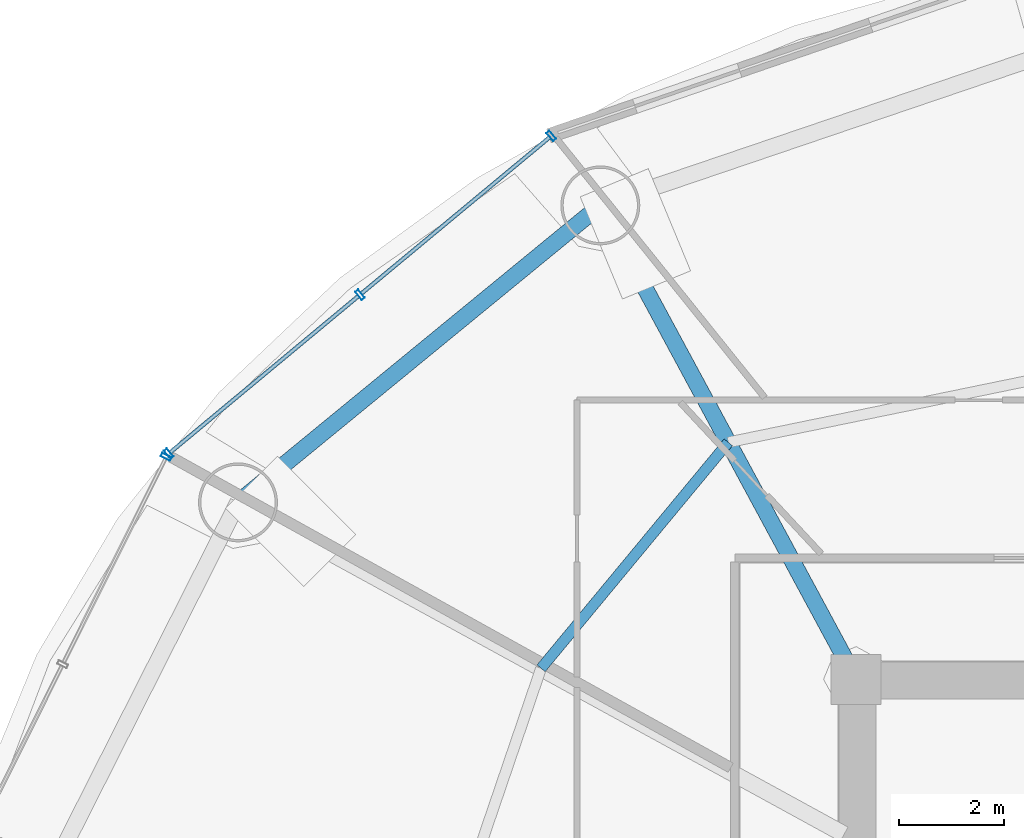
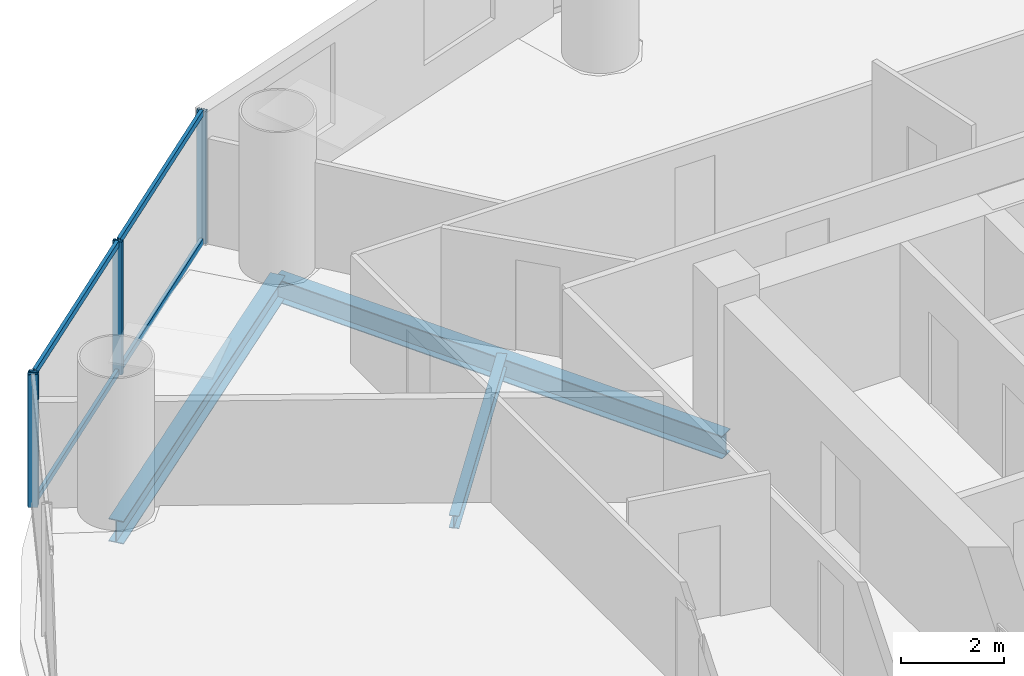
# One storey, part 16 of 29: 8 members, 3 beams, 2 elements without a shape of their own.
"""IFC4 building model written with IfcOpenShell, lengths in metres."""

from ifc_helpers import new_model, si_unit, direction, frame, origin, origin_2d, place, context, subcontext, project, spatial, hollow_rectangle, i_section, extrude, source, transform, mapped, material, material_profile, profile_set, type_object, element, aggregate, save


model = new_model("IFC4")

# Units and contexts
model_context = context("Model", 3, precision=1e-05, world=origin(), true_north=direction((-0.2419218956, 0.970295726276)))
body_context = subcontext(model_context, "Body", "Model", "MODEL_VIEW")
ifc_project = project(units=[si_unit("LENGTHUNIT", "METRE"), si_unit("AREAUNIT", "SQUARE_METRE"), si_unit("VOLUMEUNIT", "CUBIC_METRE"), si_unit("PLANEANGLEUNIT", "RADIAN"), si_unit("MASSUNIT", "GRAM", prefix="KILO")], contexts=[model_context])

# Site, building, storey
site_placement = place(None, origin())
site = spatial("IfcSite", under=ifc_project, at=site_placement, CompositionType="ELEMENT")
building_placement = place(site_placement, origin())
building = spatial("IfcBuilding", under=site, at=building_placement, Name="Cobrevalo Terracotta Tower", CompositionType="ELEMENT")
storey_placement = place(building_placement, frame((0.0, 0.0, 126.60009765625)))
storey = spatial("IfcBuildingStorey", under=building, at=storey_placement, Name="L33", CompositionType="ELEMENT", Elevation=126.60009765625)

# Beams
ifc_material_1 = material(Name="Steel S355", Category="steel")
ifc_material_profile_1 = material_profile(ifc_material_1, i_section(OverallWidth=0.31201171875, OverallDepth=0.54296875, WebThickness=0.0126953125, FlangeThickness=0.020263671875, at=origin_2d()), Name="W 530x150")
ifc_profile_set_1 = profile_set([ifc_material_profile_1], Name="Steel S355")
beam_type_1 = type_object("IfcBeamType", Name="Structural Beam W 530x150 (Steel S355)", PredefinedType="BEAM", material=ifc_profile_set_1)
beam_1_placement = place(storey_placement, frame((24.138427734375, 43.803466796875, -0.546630859375), z_axis=(0.475128224431, -0.879916570107, 0.0), x_axis=(0.879916570107, 0.475128224431, 0.0)))
element("IfcBeam", 1, at=beam_1_placement, inside=storey, type_object=beam_type_1, Name="L33 radial floor girder 06", PredefinedType="BEAM", context=body_context, shape_type="SweptSolid", body=[
    extrude(i_section(OverallWidth=0.31201171875, OverallDepth=0.54296875, WebThickness=0.0126953125, FlangeThickness=0.020263671875, at=origin_2d()), origin(), (0.0, 0.0, 1.0), 10.232177734375),
])
ifc_material_profile_2 = material_profile(ifc_material_1, i_section(OverallWidth=0.2041015625, OverallDepth=0.305908203125, WebThickness=0.008544921875, FlangeThickness=0.0146484375, at=origin_2d()), Name="W 310x67")
ifc_profile_set_2 = profile_set([ifc_material_profile_2], Name="Steel S355")
beam_type_2 = type_object("IfcBeamType", Name="Structural Joist W 310x67 (Steel S355)", PredefinedType="JOIST", material=ifc_profile_set_2)
beam_2_placement = place(storey_placement, frame((26.5693359375, 39.3017578125, -0.427978515625), z_axis=(-0.6379592588, -0.77007011636, 0.0), x_axis=(0.77007011636, -0.6379592588, 0.0)))
element("IfcBeam", 2, at=beam_2_placement, inside=storey, type_object=beam_type_2, Name="L33 circumferential secondary floor joist 06", PredefinedType="JOIST", context=body_context, shape_type="SweptSolid", body=[
    extrude(i_section(OverallWidth=0.2041015625, OverallDepth=0.305908203125, WebThickness=0.008544921875, FlangeThickness=0.0146484375, at=origin_2d()), origin(), (0.0, 0.0, 1.0), 5.575439453125),
])
ifc_material_profile_3 = material_profile(ifc_material_1, i_section(OverallWidth=0.31201171875, OverallDepth=0.54296875, WebThickness=0.0126953125, FlangeThickness=0.020263671875, at=origin_2d()), Name="W 530x150")
ifc_profile_set_3 = profile_set([ifc_material_profile_3], Name="Steel S355")
beam_type_3 = type_object("IfcBeamType", Name="Structural Spandrel W 530x150 (Steel S355)", PredefinedType="SPANDREL", material=ifc_profile_set_3)
beam_3_placement = place(storey_placement, frame((24.138427734375, 43.803466796875, -0.546630859375), z_axis=(-0.773400923541, -0.633917196064, 0.0), x_axis=(0.633917196064, -0.773400923541, 0.0)))
element("IfcBeam", 3, at=beam_3_placement, inside=storey, type_object=beam_type_3, Name="L33 perimeter ring spandrel 06", PredefinedType="SPANDREL", context=body_context, shape_type="SweptSolid", body=[
    extrude(i_section(OverallWidth=0.31201171875, OverallDepth=0.54296875, WebThickness=0.0126953125, FlangeThickness=0.020263671875, at=origin_2d()), origin(), (0.0, 0.0, 1.0), 8.900390625),
])

# Curtain wall, members
ifc_material_2 = material(Name="Anodized aluminium", Category="aluminium")
curtain_wall_type = type_object("IfcCurtainWallType", Name="Lower-tower unitised acoustic low-E curtain wall CW-U1", PredefinedType="NOTDEFINED", material=ifc_material_2)
curtain_wall_1_placement = place(storey_placement, origin())
curtain_wall_1 = element("IfcCurtainWall", 4, at=curtain_wall_1_placement, inside=storey, type_object=curtain_wall_type, Name="L33 curtain wall CW-L33-S06", PredefinedType="NOTDEFINED")
ifc_material_profile_4 = material_profile(ifc_material_2, hollow_rectangle(XDim=0.074951171875, YDim=0.199951171875, WallThickness=0.0048828125, at=origin_2d()), Name="CWM 75x200")
ifc_profile_set_4 = profile_set([ifc_material_profile_4], Name="Anodized aluminium")
member_type_1 = type_object("IfcMemberType", Name="Lower/mid tower unitised mullion 75x200", PredefinedType="MULLION", material=ifc_profile_set_4)
shared_shape_1 = source(origin(), body_context, "Body", "SweptSolid", [
    extrude(hollow_rectangle(XDim=0.074951171875, YDim=0.199951171875, WallThickness=0.0048828125, at=origin_2d()), origin(), (0.0, 0.0, 1.0), 3.14990234375),
])
member_1_placement = place(storey_placement, frame((23.207763671875, 45.125, 0.0), z_axis=(0.0, 0.0, 1.0), x_axis=(-0.769243451658, -0.638955798222, 0.0)))
member_1 = element("IfcMember", 5, at=member_1_placement, type_object=member_type_1, Name="CW-L33-S06 vertical mullion 01", PredefinedType="MULLION", context=body_context, shape_type="MappedRepresentation", body=[
    mapped(shared_shape_1, transform((0.0, 0.0, 0.0), scale=1.0)),
])
member_2_placement = place(storey_placement, frame((19.5732421875, 42.10595703125, 0.0), z_axis=(0.0, 0.0, 1.0), x_axis=(-0.769243451658, -0.638955798222, 0.0)))
member_2 = element("IfcMember", 6, at=member_2_placement, type_object=member_type_1, Name="CW-L33-S06 vertical mullion 02", PredefinedType="MULLION", context=body_context, shape_type="MappedRepresentation", body=[
    mapped(shared_shape_1, transform((0.0, 0.0, 0.0), scale=1.0)),
])
member_3_placement = place(storey_placement, frame((15.938720703125, 39.0869140625, 0.0), z_axis=(0.0, 0.0, 1.0), x_axis=(-0.769243451658, -0.638955798222, 0.0)))
member_3 = element("IfcMember", 7, at=member_3_placement, type_object=member_type_1, Name="CW-L33-S06 vertical mullion 03", PredefinedType="MULLION", context=body_context, shape_type="MappedRepresentation", body=[
    mapped(shared_shape_1, transform((0.0, 0.0, 0.0), scale=1.0)),
])

# Curtain wall, member
curtain_wall_2_placement = place(storey_placement, origin())
curtain_wall_2 = element("IfcCurtainWall", 8, at=curtain_wall_2_placement, inside=storey, type_object=curtain_wall_type, Name="L33 curtain wall CW-L33-S07", PredefinedType="NOTDEFINED")
member_4_placement = place(storey_placement, frame((15.889892578125, 39.025634765625, 0.0), z_axis=(0.0, 0.0, 1.0), x_axis=(-0.446260290227, -0.894903208937, 0.0)))
member_4 = element("IfcMember", 9, at=member_4_placement, type_object=member_type_1, Name="CW-L33-S07 vertical mullion 01", PredefinedType="MULLION", context=body_context, shape_type="MappedRepresentation", body=[
    mapped(shared_shape_1, transform((0.0, 0.0, 0.0), scale=1.0)),
])
aggregate(curtain_wall_2, [member_4])

# Member
ifc_material_profile_5 = material_profile(ifc_material_2, hollow_rectangle(XDim=0.074951171875, YDim=0.14990234375, WallThickness=0.00439453125, at=origin_2d()), Name="CWT 75x150")
ifc_profile_set_5 = profile_set([ifc_material_profile_5], Name="Anodized aluminium")
member_type_2 = type_object("IfcMemberType", Name="Tower unitised aluminium transom 75x150", PredefinedType="USERDEFINED", material=ifc_profile_set_5)
shared_shape_2 = source(origin(), body_context, "Body", "SweptSolid", [
    extrude(hollow_rectangle(XDim=0.074951171875, YDim=0.14990234375, WallThickness=0.00439453125, at=origin_2d()), origin(), (0.0, 0.0, 1.0), 4.644775390625),
])
member_5_placement = place(storey_placement, frame((23.177001953125, 45.099365234375, 0.0498046875), z_axis=(-0.76924999091, -0.638947925487, 0.0), x_axis=(0.638947925487, -0.76924999091, 0.0)))
member_5 = element("IfcMember", 10, at=member_5_placement, type_object=member_type_2, Name="CW-L33-S06 transom B01-T1", ObjectType="TRANSOM", PredefinedType="USERDEFINED", context=body_context, shape_type="MappedRepresentation", body=[
    mapped(shared_shape_2, transform((0.0, 0.0, 0.0), scale=1.0)),
])

member_6_placement = place(storey_placement, frame((23.177001953125, 45.099365234375, 3.099853515625), z_axis=(-0.76924999091, -0.638947925487, 0.0), x_axis=(0.638947925487, -0.76924999091, 0.0)))
member_6 = element("IfcMember", 11, at=member_6_placement, type_object=member_type_2, Name="CW-L33-S06 transom B01-T2", ObjectType="TRANSOM", PredefinedType="USERDEFINED", context=body_context, shape_type="MappedRepresentation", body=[
    mapped(shared_shape_2, transform((0.0, 0.0, 0.0), scale=1.0)),
])

member_7_placement = place(storey_placement, frame((19.54248046875, 42.080322265625, 0.0498046875), z_axis=(-0.76924999091, -0.638947925487, 0.0), x_axis=(0.638947925487, -0.76924999091, 0.0)))
member_7 = element("IfcMember", 12, at=member_7_placement, type_object=member_type_2, Name="CW-L33-S06 transom B02-T1", ObjectType="TRANSOM", PredefinedType="USERDEFINED", context=body_context, shape_type="MappedRepresentation", body=[
    mapped(shared_shape_2, transform((0.0, 0.0, 0.0), scale=1.0)),
])

member_8_placement = place(storey_placement, frame((19.54248046875, 42.080322265625, 3.099853515625), z_axis=(-0.76924999091, -0.638947925487, 0.0), x_axis=(0.638947925487, -0.76924999091, 0.0)))
member_8 = element("IfcMember", 13, at=member_8_placement, type_object=member_type_2, Name="CW-L33-S06 transom B02-T2", ObjectType="TRANSOM", PredefinedType="USERDEFINED", context=body_context, shape_type="MappedRepresentation", body=[
    mapped(shared_shape_2, transform((0.0, 0.0, 0.0), scale=1.0)),
])

aggregate(curtain_wall_1, [member_1, member_2, member_3, member_5, member_6, member_7, member_8])

save(model, "model.ifc")
